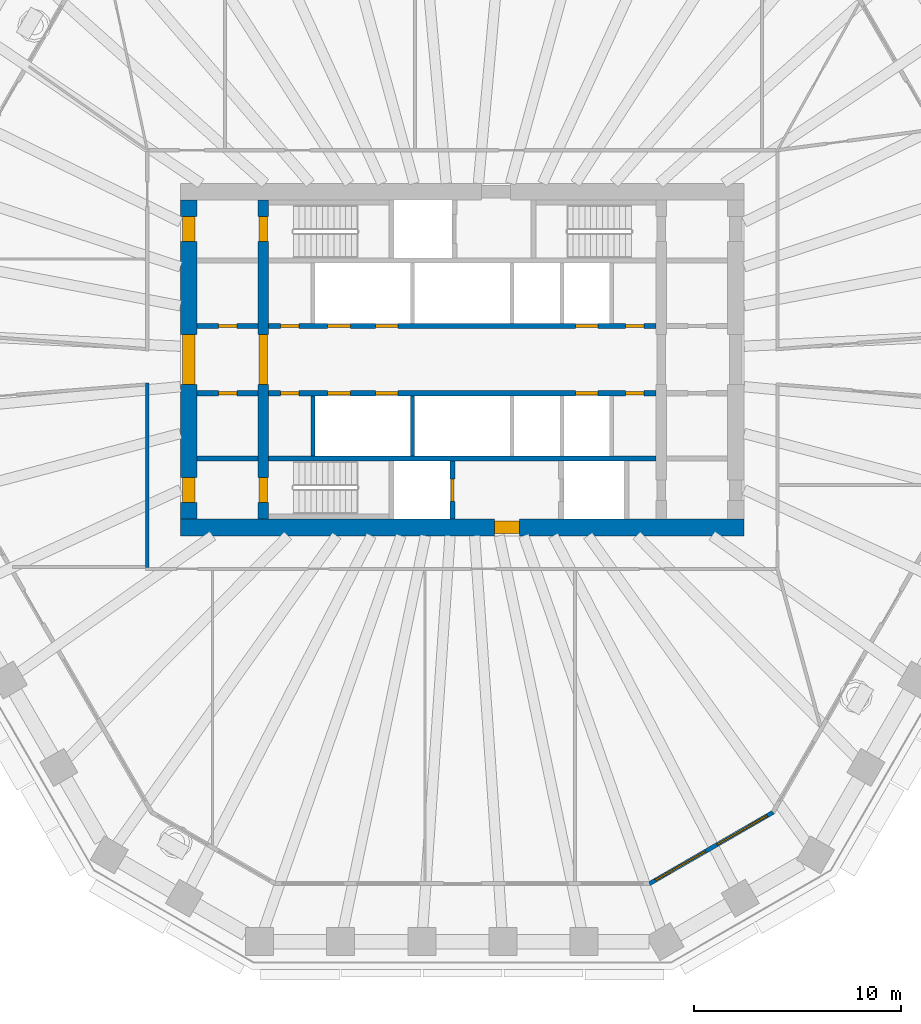
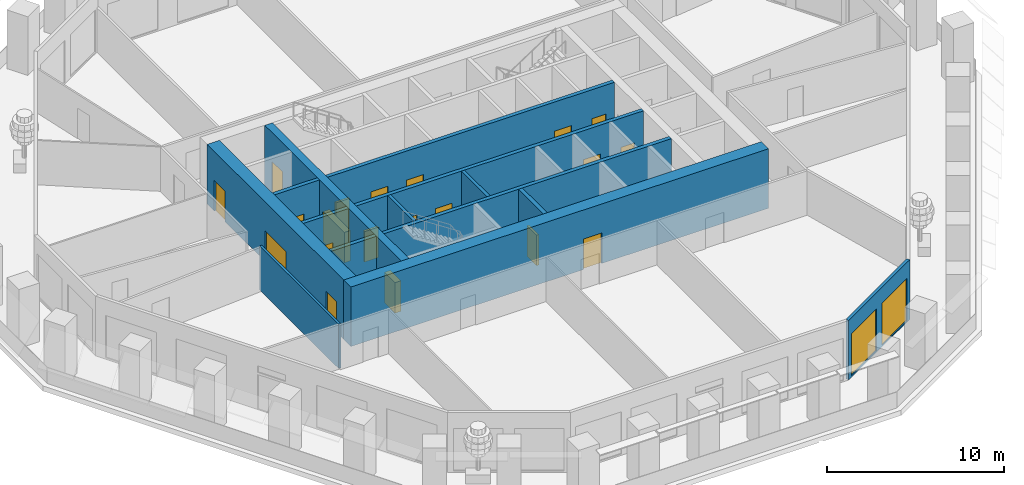
# One storey, part 4 of 12: 20 doors, 14 walls, 2 windows, 22 openings.
"""IFC4 building model written with IfcOpenShell, lengths in metres."""

from ifc_helpers import new_model, si_unit, direction, frame, frame_2d, origin, place, context, subcontext, project, spatial, polyline, rectangle, outline, extrude, material, layer, layer_set, type_object, element, fill, save


model = new_model("IFC4")

# Units and contexts
model_context = context("Model", 3, precision=1e-05, world=origin(), true_north=direction((0.0, 1.0)))
body_context = subcontext(model_context, "Body", "Model", "MODEL_VIEW")
ifc_project = project(units=[si_unit("LENGTHUNIT", "METRE"), si_unit("AREAUNIT", "SQUARE_METRE"), si_unit("VOLUMEUNIT", "CUBIC_METRE"), si_unit("PLANEANGLEUNIT", "RADIAN"), si_unit("MASSUNIT", "GRAM", prefix="KILO")], contexts=[model_context])

# Site, building, storey
site_placement = place(None, origin())
site = spatial("IfcSite", under=ifc_project, at=site_placement, CompositionType="ELEMENT")
building_placement = place(site_placement, origin())
building = spatial("IfcBuilding", under=site, at=building_placement, Name="Frailejon Research Tower", CompositionType="ELEMENT")
storey_placement = place(building_placement, frame((0.0, 0.0, 130.800048828125)))
storey = spatial("IfcBuildingStorey", under=building, at=storey_placement, Name="L28", CompositionType="ELEMENT", Elevation=130.800048828125)

# Wall, openings, doors
ifc_material_1 = material(Name="Concrete C60/75", Category="concrete")
ifc_layer_1 = layer(ifc_material_1, 0.5)
ifc_layer_set_1 = layer_set([ifc_layer_1], Name="Core shear wall 500 C60/75")
wall_type_1 = type_object("IfcWallType", Name="Core shear wall 500 C60/75", PredefinedType="SHEAR", material=ifc_layer_set_1)
wall_1_placement = place(storey_placement, frame((-9.60009765625, -7.699951171875, 0.0), z_axis=(0.0, 0.0, 1.0), x_axis=(0.0, 1.0, 0.0)))
wall_1 = element("IfcWall", 1, at=wall_1_placement, inside=storey, type_object=wall_type_1, Name="Core shear wall", PredefinedType="SHEAR", context=body_context, shape_type="SweptSolid", body=[
    extrude(rectangle(XDim=15.39990234375, YDim=0.5, at=frame_2d((7.699951171875, 0.0))), origin(), (0.0, 0.0, 1.0), 4.099853515625),
])
opening_1_placement = place(wall_1_placement, frame((6.5, 0.0, 0.0)))
opening_1 = element("IfcOpeningElement", 2, at=opening_1_placement, cuts=wall_1, Name="Opening D2", PredefinedType="OPENING", context=body_context, shape_type="SweptSolid", body=[
    extrude(rectangle(XDim=2.39990234375, YDim=2.10009765625, at=frame_2d((1.199951171875, 1.050048828125))), frame((0.0, 0.260009765625, 0.0), z_axis=(0.0, -1.0, 0.0), x_axis=(1.0, 0.0, 0.0)), (0.0, 0.0, 1.0), 0.52001953125),
])
opening_2_placement = place(wall_1_placement, frame((13.39990234375, 0.0, 0.0)))
opening_2 = element("IfcOpeningElement", 3, at=opening_2_placement, cuts=wall_1, Name="Opening D1", PredefinedType="OPENING", context=body_context, shape_type="SweptSolid", body=[
    extrude(rectangle(XDim=1.199951171875, YDim=2.10009765625, at=frame_2d((0.60009765625, 1.050048828125))), frame((0.0, 0.260009765625, 0.0), z_axis=(0.0, -1.0, 0.0), x_axis=(1.0, 0.0, 0.0)), (0.0, 0.0, 1.0), 0.52001953125),
])
opening_3_placement = place(wall_1_placement, frame((0.800048828125, 0.0, 0.0)))
opening_3 = element("IfcOpeningElement", 4, at=opening_3_placement, cuts=wall_1, Name="Opening D1", PredefinedType="OPENING", context=body_context, shape_type="SweptSolid", body=[
    extrude(rectangle(XDim=1.199951171875, YDim=2.10009765625, at=frame_2d((0.60009765625, 1.050048828125))), frame((0.0, 0.260009765625, 0.0), z_axis=(0.0, -1.0, 0.0), x_axis=(1.0, 0.0, 0.0)), (0.0, 0.0, 1.0), 0.52001953125),
])
ifc_material_2 = material(Name="Steel", Category="steel")
door_type_1 = type_object("IfcDoorType", Name="Lobby double door", OperationType="DOUBLE_DOOR_SINGLE_SWING", PredefinedType="DOOR", material=ifc_material_2)
door_1_placement = place(opening_1_placement, origin())
door_1 = element("IfcDoor", 5, at=door_1_placement, inside=storey, type_object=door_type_1, Name="Lobby door", OperationType="DOUBLE_DOOR_SINGLE_SWING", OverallHeight=2.10009765625, OverallWidth=2.39990234375, PredefinedType="DOOR", context=body_context, shape_type="SweptSolid", body=[
    extrude(rectangle(XDim=2.39990234375, YDim=2.10009765625, at=frame_2d((1.199951171875, 1.050048828125))), frame((0.0, 0.199951171875, 0.0), z_axis=(0.0, -1.0, 0.0), x_axis=(1.0, 0.0, 0.0)), (0.0, 0.0, 1.0), 0.39990234375),
])
fill(opening_1, door_1)
ifc_material_3 = material(Name="Steel", Category="steel")
door_type_2 = type_object("IfcDoorType", Name="Stair door", OperationType="SINGLE_SWING_LEFT", PredefinedType="DOOR", material=ifc_material_3)
door_2_placement = place(opening_2_placement, origin())
door_2 = element("IfcDoor", 6, at=door_2_placement, inside=storey, type_object=door_type_2, Name="Stair door ST1", OperationType="SINGLE_SWING_RIGHT", OverallHeight=2.10009765625, OverallWidth=1.199951171875, PredefinedType="DOOR", context=body_context, shape_type="SweptSolid", body=[
    extrude(rectangle(XDim=1.199951171875, YDim=2.10009765625, at=frame_2d((0.60009765625, 1.050048828125))), frame((0.0, 0.199951171875, 0.0), z_axis=(0.0, -1.0, 0.0), x_axis=(1.0, 0.0, 0.0)), (0.0, 0.0, 1.0), 0.39990234375),
])
fill(opening_2, door_2)
door_3_placement = place(opening_3_placement, origin())
door_3 = element("IfcDoor", 7, at=door_3_placement, inside=storey, type_object=door_type_2, Name="Stair door ST2", OperationType="SINGLE_SWING_RIGHT", OverallHeight=2.10009765625, OverallWidth=1.199951171875, PredefinedType="DOOR", context=body_context, shape_type="SweptSolid", body=[
    extrude(rectangle(XDim=1.199951171875, YDim=2.10009765625, at=frame_2d((0.60009765625, 1.050048828125))), frame((0.0, 0.199951171875, 0.0), z_axis=(0.0, -1.0, 0.0), x_axis=(1.0, 0.0, 0.0)), (0.0, 0.0, 1.0), 0.39990234375),
])
fill(opening_3, door_3)

# Wall, opening, door
ifc_material_4 = material(Name="Concrete C60/75", Category="concrete")
ifc_layer_2 = layer(ifc_material_4, 0.800048828125)
ifc_layer_set_2 = layer_set([ifc_layer_2], Name="Core shear wall 800 C60/75")
wall_type_2 = type_object("IfcWallType", Name="Core shear wall 800 C60/75", PredefinedType="SHEAR", material=ifc_layer_set_2)
wall_2_placement = place(storey_placement, frame((-13.60009765625, -8.10009765625, 0.0), z_axis=(0.0, 0.0, 1.0), x_axis=(1.0, 0.0, 0.0)))
wall_2 = element("IfcWall", 8, at=wall_2_placement, inside=storey, type_object=wall_type_2, Name="Core shear wall", PredefinedType="SHEAR", context=body_context, shape_type="SweptSolid", body=[
    extrude(rectangle(XDim=27.2001953125, YDim=0.800048828125, at=frame_2d((13.60009765625, 0.0))), origin(), (0.0, 0.0, 1.0), 4.099853515625),
])
opening_4_placement = place(wall_2_placement, frame((15.14990234375, 0.0, 0.0)))
opening_4 = element("IfcOpeningElement", 9, at=opening_4_placement, cuts=wall_2, Name="Opening D3", PredefinedType="OPENING", context=body_context, shape_type="SweptSolid", body=[
    extrude(rectangle(XDim=1.199951171875, YDim=2.10009765625, at=frame_2d((0.60009765625, 1.050048828125))), frame((0.0, 0.409912109375, 0.0), z_axis=(0.0, -1.0, 0.0), x_axis=(1.0, 0.0, 0.0)), (0.0, 0.0, 1.0), 0.820068359375),
])
ifc_material_5 = material(Name="Steel", Category="steel")
door_type_3 = type_object("IfcDoorType", Name="Firefighting lobby door", OperationType="SINGLE_SWING_LEFT", PredefinedType="DOOR", material=ifc_material_5)
door_4_placement = place(opening_4_placement, origin())
door_4 = element("IfcDoor", 10, at=door_4_placement, inside=storey, type_object=door_type_3, Name="Firefighting lobby door", OperationType="SINGLE_SWING_RIGHT", OverallHeight=2.10009765625, OverallWidth=1.199951171875, PredefinedType="DOOR", context=body_context, shape_type="SweptSolid", body=[
    extrude(rectangle(XDim=1.199951171875, YDim=2.10009765625, at=frame_2d((0.60009765625, 1.050048828125))), frame((0.0, 0.300048828125, 0.0), z_axis=(0.0, -1.0, 0.0), x_axis=(1.0, 0.0, 0.0)), (0.0, 0.0, 1.0), 0.60009765625),
])
fill(opening_4, door_4)

# Wall, openings, doors
wall_3_placement = place(storey_placement, frame((-13.199951171875, -7.699951171875, 0.0), z_axis=(0.0, 0.0, 1.0), x_axis=(0.0, 1.0, 0.0)))
wall_3 = element("IfcWall", 11, at=wall_3_placement, inside=storey, type_object=wall_type_2, Name="Core shear wall", PredefinedType="SHEAR", context=body_context, shape_type="SweptSolid", body=[
    extrude(rectangle(XDim=15.39990234375, YDim=0.800048828125, at=frame_2d((7.699951171875, 0.0))), origin(), (0.0, 0.0, 1.0), 4.099853515625),
])
opening_5_placement = place(wall_3_placement, frame((6.5, 0.0, 0.0)))
opening_5 = element("IfcOpeningElement", 12, at=opening_5_placement, cuts=wall_3, Name="Opening D2", PredefinedType="OPENING", context=body_context, shape_type="SweptSolid", body=[
    extrude(rectangle(XDim=2.39990234375, YDim=2.10009765625, at=frame_2d((1.199951171875, 1.050048828125))), frame((0.0, 0.409912109375, 0.0), z_axis=(0.0, -1.0, 0.0), x_axis=(1.0, 0.0, 0.0)), (0.0, 0.0, 1.0), 0.820068359375),
])
opening_6_placement = place(wall_3_placement, frame((13.39990234375, 0.0, 0.0)))
opening_6 = element("IfcOpeningElement", 13, at=opening_6_placement, cuts=wall_3, Name="Opening D7", PredefinedType="OPENING", context=body_context, shape_type="SweptSolid", body=[
    extrude(rectangle(XDim=1.199951171875, YDim=2.10009765625, at=frame_2d((0.60009765625, 1.050048828125))), frame((0.0, 0.409912109375, 0.0), z_axis=(0.0, -1.0, 0.0), x_axis=(1.0, 0.0, 0.0)), (0.0, 0.0, 1.0), 0.820068359375),
])
opening_7_placement = place(wall_3_placement, frame((0.800048828125, 0.0, 0.0)))
opening_7 = element("IfcOpeningElement", 14, at=opening_7_placement, cuts=wall_3, Name="Opening D7", PredefinedType="OPENING", context=body_context, shape_type="SweptSolid", body=[
    extrude(rectangle(XDim=1.199951171875, YDim=2.10009765625, at=frame_2d((0.60009765625, 1.050048828125))), frame((0.0, 0.409912109375, 0.0), z_axis=(0.0, -1.0, 0.0), x_axis=(1.0, 0.0, 0.0)), (0.0, 0.0, 1.0), 0.820068359375),
])
door_5_placement = place(opening_5_placement, origin())
door_5 = element("IfcDoor", 15, at=door_5_placement, inside=storey, type_object=door_type_1, Name="Lobby door", OperationType="DOUBLE_DOOR_SINGLE_SWING", OverallHeight=2.10009765625, OverallWidth=2.39990234375, PredefinedType="DOOR", context=body_context, shape_type="SweptSolid", body=[
    extrude(rectangle(XDim=2.39990234375, YDim=2.10009765625, at=frame_2d((1.199951171875, 1.050048828125))), frame((0.0, 0.300048828125, 0.0), z_axis=(0.0, -1.0, 0.0), x_axis=(1.0, 0.0, 0.0)), (0.0, 0.0, 1.0), 0.60009765625),
])
fill(opening_5, door_5)
ifc_material_6 = material(Name="Steel", Category="steel")
door_type_4 = type_object("IfcDoorType", Name="Stair exit door", OperationType="SINGLE_SWING_LEFT", PredefinedType="DOOR", material=ifc_material_6)
door_6_placement = place(opening_6_placement, origin())
door_6 = element("IfcDoor", 16, at=door_6_placement, inside=storey, type_object=door_type_4, Name="Stair exit door ST1", OperationType="SINGLE_SWING_LEFT", OverallHeight=2.10009765625, OverallWidth=1.199951171875, PredefinedType="DOOR", context=body_context, shape_type="SweptSolid", body=[
    extrude(rectangle(XDim=1.199951171875, YDim=2.10009765625, at=frame_2d((0.60009765625, 1.050048828125))), frame((0.0, 0.300048828125, 0.0), z_axis=(0.0, -1.0, 0.0), x_axis=(1.0, 0.0, 0.0)), (0.0, 0.0, 1.0), 0.60009765625),
])
fill(opening_6, door_6)
door_7_placement = place(opening_7_placement, origin())
door_7 = element("IfcDoor", 17, at=door_7_placement, inside=storey, type_object=door_type_4, Name="Stair exit door ST2", OperationType="SINGLE_SWING_LEFT", OverallHeight=2.10009765625, OverallWidth=1.199951171875, PredefinedType="DOOR", context=body_context, shape_type="SweptSolid", body=[
    extrude(rectangle(XDim=1.199951171875, YDim=2.10009765625, at=frame_2d((0.60009765625, 1.050048828125))), frame((0.0, 0.300048828125, 0.0), z_axis=(0.0, -1.0, 0.0), x_axis=(1.0, 0.0, 0.0)), (0.0, 0.0, 1.0), 0.60009765625),
])
fill(opening_7, door_7)

# Walls
ifc_material_7 = material(Name="Gypsum board and masonry partition", Category="masonry")
ifc_layer_3 = layer(ifc_material_7, 0.14990234375)
ifc_layer_set_3 = layer_set([ifc_layer_3], Name="Corridor wall EI 60, gypsum on steel studs 150")
wall_type_3 = type_object("IfcWallType", Name="Corridor wall EI 60, gypsum on steel studs 150", PredefinedType="PARTITIONING", material=ifc_layer_set_3)
wall_4_placement = place(storey_placement, frame((-15.199951171875, -10.02490234375, 0.0), z_axis=(0.0, 0.0, 1.0), x_axis=(0.0, 1.0, 0.0)))
element("IfcWall", 18, at=wall_4_placement, inside=storey, type_object=wall_type_3, Name="T:IW:L28:006", PredefinedType="PARTITIONING", context=body_context, shape_type="SweptSolid", body=[
    extrude(rectangle(XDim=8.900634765625, YDim=0.14990234375, at=frame_2d((4.4501953125, 0.0))), origin(), (0.0, 0.0, 1.0), 3.050048828125),
])
ifc_material_8 = material(Name="Concrete C60/75", Category="concrete")
ifc_layer_4 = layer(ifc_material_8, 0.199951171875)
ifc_layer_set_4 = layer_set([ifc_layer_4], Name="Shaft wall 200 C60/75")
wall_type_4 = type_object("IfcWallType", Name="Shaft wall 200 C60/75", PredefinedType="SOLIDWALL", material=ifc_layer_set_4)
for number, where, z_axis, x_axis, name in (
    (19, (-7.199951171875, -4.64990234375, 0.0), (0.0, 0.0, 1.0), (0.0, 1.0, 0.0), "Shaft wall"),
    (20, (-2.39990234375, -4.64990234375, 0.0), (0.0, 0.0, 1.0), (0.0, 1.0, 0.0), "Shaft wall"),
):
    element("IfcWall", number, at=place(storey_placement, frame(where, z_axis=z_axis, x_axis=x_axis)), inside=storey, type_object=wall_type_4, Name=name, PredefinedType="SOLIDWALL", context=body_context, shape_type="SweptSolid", body=[
        extrude(rectangle(XDim=2.89990234375, YDim=0.199951171875, at=frame_2d((1.449951171875, 0.0))), origin(), (0.0, 0.0, 1.0), 4.099853515625),
    ])

# Wall, opening, door
ifc_material_9 = material(Name="Concrete C60/75", Category="concrete")
ifc_layer_5 = layer(ifc_material_9, 0.25)
ifc_layer_set_5 = layer_set([ifc_layer_5], Name="Shaft wall 250 C60/75")
wall_type_5 = type_object("IfcWallType", Name="Shaft wall 250 C60/75", PredefinedType="SOLIDWALL", material=ifc_layer_set_5)
wall_5_placement = place(storey_placement, frame((-12.800048828125, 1.625, 0.0), z_axis=(0.0, 0.0, 1.0), x_axis=(1.0, 0.0, 0.0)))
wall_5 = element("IfcWall", 21, at=wall_5_placement, inside=storey, type_object=wall_type_5, Name="Shaft wall", PredefinedType="SOLIDWALL", context=body_context, shape_type="SweptSolid", body=[
    extrude(rectangle(XDim=2.949951171875, YDim=0.25, at=frame_2d((1.47509765625, 0.0))), origin(), (0.0, 0.0, 1.0), 4.099853515625),
])
opening_8_placement = place(wall_5_placement, frame((1.02490234375, 0.0, 0.0)))
opening_8 = element("IfcOpeningElement", 22, at=opening_8_placement, cuts=wall_5, Name="Opening D8", PredefinedType="OPENING", context=body_context, shape_type="SweptSolid", body=[
    extrude(rectangle(XDim=0.89990234375, YDim=2.10009765625, at=frame_2d((0.449951171875, 1.050048828125))), frame((0.0, 0.135009765625, 0.0), z_axis=(0.0, -1.0, 0.0), x_axis=(1.0, 0.0, 0.0)), (0.0, 0.0, 1.0), 0.27001953125),
])
ifc_material_10 = material(Name="Steel", Category="steel")
door_type_5 = type_object("IfcDoorType", Name="Core room door", OperationType="SINGLE_SWING_LEFT", PredefinedType="DOOR", material=ifc_material_10)
door_8_placement = place(opening_8_placement, origin())
door_8 = element("IfcDoor", 23, at=door_8_placement, inside=storey, type_object=door_type_5, Name="Room door", OperationType="SINGLE_SWING_RIGHT", OverallHeight=2.10009765625, OverallWidth=0.89990234375, PredefinedType="DOOR", context=body_context, shape_type="SweptSolid", body=[
    extrude(rectangle(XDim=0.89990234375, YDim=2.10009765625, at=frame_2d((0.449951171875, 1.050048828125))), frame((0.0, 0.074951171875, 0.0), z_axis=(0.0, -1.0, 0.0), x_axis=(1.0, 0.0, 0.0)), (0.0, 0.0, 1.0), 0.14990234375),
])
fill(opening_8, door_8)

# Wall, openings, doors
wall_6_placement = place(storey_placement, frame((-9.35009765625, 1.625, 0.0), z_axis=(0.0, 0.0, 1.0), x_axis=(1.0, 0.0, 0.0)))
wall_6 = element("IfcWall", 24, at=wall_6_placement, inside=storey, type_object=wall_type_5, Name="Shaft wall", PredefinedType="SOLIDWALL", context=body_context, shape_type="SweptSolid", body=[
    extrude(rectangle(XDim=18.7001953125, YDim=0.25, at=frame_2d((9.35009765625, 0.0))), origin(), (0.0, 0.0, 1.0), 4.099853515625),
])
opening_9_placement = place(wall_6_placement, frame((2.85009765625, 0.0, 0.0)))
opening_9 = element("IfcOpeningElement", 25, at=opening_9_placement, cuts=wall_6, Name="Opening LD", PredefinedType="OPENING", context=body_context, shape_type="SweptSolid", body=[
    extrude(rectangle(XDim=1.10009765625, YDim=2.10009765625, at=frame_2d((0.550048828125, 1.050048828125))), frame((0.0, 0.135009765625, 0.0), z_axis=(0.0, -1.0, 0.0), x_axis=(1.0, 0.0, 0.0)), (0.0, 0.0, 1.0), 0.27001953125),
])
opening_10_placement = place(wall_6_placement, frame((5.14990234375, 0.0, 0.0)))
opening_10 = element("IfcOpeningElement", 26, at=opening_10_placement, cuts=wall_6, Name="Opening LD", PredefinedType="OPENING", context=body_context, shape_type="SweptSolid", body=[
    extrude(rectangle(XDim=1.10009765625, YDim=2.10009765625, at=frame_2d((0.550048828125, 1.050048828125))), frame((0.0, 0.135009765625, 0.0), z_axis=(0.0, -1.0, 0.0), x_axis=(1.0, 0.0, 0.0)), (0.0, 0.0, 1.0), 0.27001953125),
])
opening_11_placement = place(wall_6_placement, frame((14.800048828125, 0.0, 0.0)))
opening_11 = element("IfcOpeningElement", 27, at=opening_11_placement, cuts=wall_6, Name="Opening LD", PredefinedType="OPENING", context=body_context, shape_type="SweptSolid", body=[
    extrude(rectangle(XDim=1.10009765625, YDim=2.10009765625, at=frame_2d((0.550048828125, 1.050048828125))), frame((0.0, 0.135009765625, 0.0), z_axis=(0.0, -1.0, 0.0), x_axis=(1.0, 0.0, 0.0)), (0.0, 0.0, 1.0), 0.27001953125),
])
opening_12_placement = place(wall_6_placement, frame((0.574951171875, 0.0, 0.0)))
opening_12 = element("IfcOpeningElement", 28, at=opening_12_placement, cuts=wall_6, Name="Opening D8", PredefinedType="OPENING", context=body_context, shape_type="SweptSolid", body=[
    extrude(rectangle(XDim=0.89990234375, YDim=2.10009765625, at=frame_2d((0.449951171875, 1.050048828125))), frame((0.0, 0.135009765625, 0.0), z_axis=(0.0, -1.0, 0.0), x_axis=(1.0, 0.0, 0.0)), (0.0, 0.0, 1.0), 0.27001953125),
])
opening_13_placement = place(wall_6_placement, frame((17.22509765625, 0.0, 0.0)))
opening_13 = element("IfcOpeningElement", 29, at=opening_13_placement, cuts=wall_6, Name="Opening D8", PredefinedType="OPENING", context=body_context, shape_type="SweptSolid", body=[
    extrude(rectangle(XDim=0.89990234375, YDim=2.10009765625, at=frame_2d((0.449951171875, 1.050048828125))), frame((0.0, 0.135009765625, 0.0), z_axis=(0.0, -1.0, 0.0), x_axis=(1.0, 0.0, 0.0)), (0.0, 0.0, 1.0), 0.27001953125),
])
door_9_placement = place(opening_12_placement, origin())
door_9 = element("IfcDoor", 30, at=door_9_placement, inside=storey, type_object=door_type_5, Name="Room door", OperationType="SINGLE_SWING_LEFT", OverallHeight=2.10009765625, OverallWidth=0.89990234375, PredefinedType="DOOR", context=body_context, shape_type="SweptSolid", body=[
    extrude(rectangle(XDim=0.89990234375, YDim=2.10009765625, at=frame_2d((0.449951171875, 1.050048828125))), frame((0.0, 0.074951171875, 0.0), z_axis=(0.0, -1.0, 0.0), x_axis=(1.0, 0.0, 0.0)), (0.0, 0.0, 1.0), 0.14990234375),
])
fill(opening_12, door_9)
door_10_placement = place(opening_13_placement, origin())
door_10 = element("IfcDoor", 31, at=door_10_placement, inside=storey, type_object=door_type_5, Name="Room door", OperationType="SINGLE_SWING_RIGHT", OverallHeight=2.10009765625, OverallWidth=0.89990234375, PredefinedType="DOOR", context=body_context, shape_type="SweptSolid", body=[
    extrude(rectangle(XDim=0.89990234375, YDim=2.10009765625, at=frame_2d((0.449951171875, 1.050048828125))), frame((0.0, 0.074951171875, 0.0), z_axis=(0.0, -1.0, 0.0), x_axis=(1.0, 0.0, 0.0)), (0.0, 0.0, 1.0), 0.14990234375),
])
fill(opening_13, door_10)
ifc_material_11 = material(Name="Steel", Category="steel")
door_type_6 = type_object("IfcDoorType", Name="Lift landing door", OperationType="DOUBLE_DOOR_SLIDING", PredefinedType="DOOR", material=ifc_material_11)
door_11_placement = place(opening_9_placement, origin())
door_11 = element("IfcDoor", 32, at=door_11_placement, inside=storey, type_object=door_type_6, Name="Lift landing door", OperationType="DOUBLE_DOOR_SLIDING", OverallHeight=2.10009765625, OverallWidth=1.10009765625, PredefinedType="DOOR", context=body_context, shape_type="SweptSolid", body=[
    extrude(rectangle(XDim=1.10009765625, YDim=2.10009765625, at=frame_2d((0.550048828125, 1.050048828125))), frame((0.0, 0.074951171875, 0.0), z_axis=(0.0, -1.0, 0.0), x_axis=(1.0, 0.0, 0.0)), (0.0, 0.0, 1.0), 0.14990234375),
])
fill(opening_9, door_11)
door_12_placement = place(opening_10_placement, origin())
door_12 = element("IfcDoor", 33, at=door_12_placement, inside=storey, type_object=door_type_6, Name="Lift landing door", OperationType="DOUBLE_DOOR_SLIDING", OverallHeight=2.10009765625, OverallWidth=1.10009765625, PredefinedType="DOOR", context=body_context, shape_type="SweptSolid", body=[
    extrude(rectangle(XDim=1.10009765625, YDim=2.10009765625, at=frame_2d((0.550048828125, 1.050048828125))), frame((0.0, 0.074951171875, 0.0), z_axis=(0.0, -1.0, 0.0), x_axis=(1.0, 0.0, 0.0)), (0.0, 0.0, 1.0), 0.14990234375),
])
fill(opening_10, door_12)
door_13_placement = place(opening_11_placement, origin())
door_13 = element("IfcDoor", 34, at=door_13_placement, inside=storey, type_object=door_type_6, Name="Lift landing door", OperationType="DOUBLE_DOOR_SLIDING", OverallHeight=2.10009765625, OverallWidth=1.10009765625, PredefinedType="DOOR", context=body_context, shape_type="SweptSolid", body=[
    extrude(rectangle(XDim=1.10009765625, YDim=2.10009765625, at=frame_2d((0.550048828125, 1.050048828125))), frame((0.0, 0.074951171875, 0.0), z_axis=(0.0, -1.0, 0.0), x_axis=(1.0, 0.0, 0.0)), (0.0, 0.0, 1.0), 0.14990234375),
])
fill(opening_11, door_13)

# Wall, opening, door
wall_7_placement = place(storey_placement, frame((-12.800048828125, -1.625, 0.0), z_axis=(0.0, 0.0, 1.0), x_axis=(1.0, 0.0, 0.0)))
wall_7 = element("IfcWall", 35, at=wall_7_placement, inside=storey, type_object=wall_type_5, Name="Shaft wall", PredefinedType="SOLIDWALL", context=body_context, shape_type="SweptSolid", body=[
    extrude(rectangle(XDim=2.949951171875, YDim=0.25, at=frame_2d((1.47509765625, 0.0))), origin(), (0.0, 0.0, 1.0), 4.099853515625),
])
opening_14_placement = place(wall_7_placement, frame((1.02490234375, 0.0, 0.0)))
opening_14 = element("IfcOpeningElement", 36, at=opening_14_placement, cuts=wall_7, Name="Opening D8", PredefinedType="OPENING", context=body_context, shape_type="SweptSolid", body=[
    extrude(rectangle(XDim=0.89990234375, YDim=2.10009765625, at=frame_2d((0.449951171875, 1.050048828125))), frame((0.0, 0.135009765625, 0.0), z_axis=(0.0, -1.0, 0.0), x_axis=(1.0, 0.0, 0.0)), (0.0, 0.0, 1.0), 0.27001953125),
])
door_14_placement = place(opening_14_placement, origin())
door_14 = element("IfcDoor", 37, at=door_14_placement, inside=storey, type_object=door_type_5, Name="Room door", OperationType="SINGLE_SWING_RIGHT", OverallHeight=2.10009765625, OverallWidth=0.89990234375, PredefinedType="DOOR", context=body_context, shape_type="SweptSolid", body=[
    extrude(rectangle(XDim=0.89990234375, YDim=2.10009765625, at=frame_2d((0.449951171875, 1.050048828125))), frame((0.0, 0.074951171875, 0.0), z_axis=(0.0, -1.0, 0.0), x_axis=(1.0, 0.0, 0.0)), (0.0, 0.0, 1.0), 0.14990234375),
])
fill(opening_14, door_14)

# Wall, openings, doors
wall_8_placement = place(storey_placement, frame((-9.35009765625, -1.625, 0.0), z_axis=(0.0, 0.0, 1.0), x_axis=(1.0, 0.0, 0.0)))
wall_8 = element("IfcWall", 38, at=wall_8_placement, inside=storey, type_object=wall_type_5, Name="Shaft wall", PredefinedType="SOLIDWALL", context=body_context, shape_type="SweptSolid", body=[
    extrude(rectangle(XDim=18.7001953125, YDim=0.25, at=frame_2d((9.35009765625, 0.0))), origin(), (0.0, 0.0, 1.0), 4.099853515625),
])
opening_15_placement = place(wall_8_placement, frame((2.85009765625, 0.0, 0.0)))
opening_15 = element("IfcOpeningElement", 39, at=opening_15_placement, cuts=wall_8, Name="Opening LD", PredefinedType="OPENING", context=body_context, shape_type="SweptSolid", body=[
    extrude(rectangle(XDim=1.10009765625, YDim=2.10009765625, at=frame_2d((0.550048828125, 1.050048828125))), frame((0.0, 0.135009765625, 0.0), z_axis=(0.0, -1.0, 0.0), x_axis=(1.0, 0.0, 0.0)), (0.0, 0.0, 1.0), 0.27001953125),
])
opening_16_placement = place(wall_8_placement, frame((5.14990234375, 0.0, 0.0)))
opening_16 = element("IfcOpeningElement", 40, at=opening_16_placement, cuts=wall_8, Name="Opening LD", PredefinedType="OPENING", context=body_context, shape_type="SweptSolid", body=[
    extrude(rectangle(XDim=1.10009765625, YDim=2.10009765625, at=frame_2d((0.550048828125, 1.050048828125))), frame((0.0, 0.135009765625, 0.0), z_axis=(0.0, -1.0, 0.0), x_axis=(1.0, 0.0, 0.0)), (0.0, 0.0, 1.0), 0.27001953125),
])
opening_17_placement = place(wall_8_placement, frame((14.800048828125, 0.0, 0.0)))
opening_17 = element("IfcOpeningElement", 41, at=opening_17_placement, cuts=wall_8, Name="Opening LD", PredefinedType="OPENING", context=body_context, shape_type="SweptSolid", body=[
    extrude(rectangle(XDim=1.10009765625, YDim=2.10009765625, at=frame_2d((0.550048828125, 1.050048828125))), frame((0.0, 0.135009765625, 0.0), z_axis=(0.0, -1.0, 0.0), x_axis=(1.0, 0.0, 0.0)), (0.0, 0.0, 1.0), 0.27001953125),
])
opening_18_placement = place(wall_8_placement, frame((0.574951171875, 0.0, 0.0)))
opening_18 = element("IfcOpeningElement", 42, at=opening_18_placement, cuts=wall_8, Name="Opening D8", PredefinedType="OPENING", context=body_context, shape_type="SweptSolid", body=[
    extrude(rectangle(XDim=0.89990234375, YDim=2.10009765625, at=frame_2d((0.449951171875, 1.050048828125))), frame((0.0, 0.135009765625, 0.0), z_axis=(0.0, -1.0, 0.0), x_axis=(1.0, 0.0, 0.0)), (0.0, 0.0, 1.0), 0.27001953125),
])
opening_19_placement = place(wall_8_placement, frame((17.22509765625, 0.0, 0.0)))
opening_19 = element("IfcOpeningElement", 43, at=opening_19_placement, cuts=wall_8, Name="Opening D8", PredefinedType="OPENING", context=body_context, shape_type="SweptSolid", body=[
    extrude(rectangle(XDim=0.89990234375, YDim=2.10009765625, at=frame_2d((0.449951171875, 1.050048828125))), frame((0.0, 0.135009765625, 0.0), z_axis=(0.0, -1.0, 0.0), x_axis=(1.0, 0.0, 0.0)), (0.0, 0.0, 1.0), 0.27001953125),
])
door_15_placement = place(opening_18_placement, origin())
door_15 = element("IfcDoor", 44, at=door_15_placement, inside=storey, type_object=door_type_5, Name="Room door", OperationType="SINGLE_SWING_LEFT", OverallHeight=2.10009765625, OverallWidth=0.89990234375, PredefinedType="DOOR", context=body_context, shape_type="SweptSolid", body=[
    extrude(rectangle(XDim=0.89990234375, YDim=2.10009765625, at=frame_2d((0.449951171875, 1.050048828125))), frame((0.0, 0.074951171875, 0.0), z_axis=(0.0, -1.0, 0.0), x_axis=(1.0, 0.0, 0.0)), (0.0, 0.0, 1.0), 0.14990234375),
])
fill(opening_18, door_15)
door_16_placement = place(opening_19_placement, origin())
door_16 = element("IfcDoor", 45, at=door_16_placement, inside=storey, type_object=door_type_5, Name="Room door", OperationType="SINGLE_SWING_RIGHT", OverallHeight=2.10009765625, OverallWidth=0.89990234375, PredefinedType="DOOR", context=body_context, shape_type="SweptSolid", body=[
    extrude(rectangle(XDim=0.89990234375, YDim=2.10009765625, at=frame_2d((0.449951171875, 1.050048828125))), frame((0.0, 0.074951171875, 0.0), z_axis=(0.0, -1.0, 0.0), x_axis=(1.0, 0.0, 0.0)), (0.0, 0.0, 1.0), 0.14990234375),
])
fill(opening_19, door_16)
door_17_placement = place(opening_15_placement, origin())
door_17 = element("IfcDoor", 46, at=door_17_placement, inside=storey, type_object=door_type_6, Name="Lift landing door", OperationType="DOUBLE_DOOR_SLIDING", OverallHeight=2.10009765625, OverallWidth=1.10009765625, PredefinedType="DOOR", context=body_context, shape_type="SweptSolid", body=[
    extrude(rectangle(XDim=1.10009765625, YDim=2.10009765625, at=frame_2d((0.550048828125, 1.050048828125))), frame((0.0, 0.074951171875, 0.0), z_axis=(0.0, -1.0, 0.0), x_axis=(1.0, 0.0, 0.0)), (0.0, 0.0, 1.0), 0.14990234375),
])
fill(opening_15, door_17)
door_18_placement = place(opening_16_placement, origin())
door_18 = element("IfcDoor", 47, at=door_18_placement, inside=storey, type_object=door_type_6, Name="Lift landing door", OperationType="DOUBLE_DOOR_SLIDING", OverallHeight=2.10009765625, OverallWidth=1.10009765625, PredefinedType="DOOR", context=body_context, shape_type="SweptSolid", body=[
    extrude(rectangle(XDim=1.10009765625, YDim=2.10009765625, at=frame_2d((0.550048828125, 1.050048828125))), frame((0.0, 0.074951171875, 0.0), z_axis=(0.0, -1.0, 0.0), x_axis=(1.0, 0.0, 0.0)), (0.0, 0.0, 1.0), 0.14990234375),
])
fill(opening_16, door_18)
door_19_placement = place(opening_17_placement, origin())
door_19 = element("IfcDoor", 48, at=door_19_placement, inside=storey, type_object=door_type_6, Name="Lift landing door", OperationType="DOUBLE_DOOR_SLIDING", OverallHeight=2.10009765625, OverallWidth=1.10009765625, PredefinedType="DOOR", context=body_context, shape_type="SweptSolid", body=[
    extrude(rectangle(XDim=1.10009765625, YDim=2.10009765625, at=frame_2d((0.550048828125, 1.050048828125))), frame((0.0, 0.074951171875, 0.0), z_axis=(0.0, -1.0, 0.0), x_axis=(1.0, 0.0, 0.0)), (0.0, 0.0, 1.0), 0.14990234375),
])
fill(opening_17, door_19)

# Walls
wall_9_placement = place(storey_placement, frame((-12.800048828125, -4.77490234375, 0.0), z_axis=(0.0, 0.0, 1.0), x_axis=(1.0, 0.0, 0.0)))
element("IfcWall", 49, at=wall_9_placement, inside=storey, type_object=wall_type_5, Name="Shaft wall", PredefinedType="SOLIDWALL", context=body_context, shape_type="SweptSolid", body=[
    extrude(rectangle(XDim=2.949951171875, YDim=0.25, at=frame_2d((1.47509765625, 0.0))), origin(), (0.0, 0.0, 1.0), 4.099853515625),
])
wall_10_placement = place(storey_placement, frame((-9.35009765625, -4.77490234375, 0.0), z_axis=(0.0, 0.0, 1.0), x_axis=(1.0, 0.0, 0.0)))
element("IfcWall", 50, at=wall_10_placement, inside=storey, type_object=wall_type_5, Name="Shaft wall", PredefinedType="SOLIDWALL", context=body_context, shape_type="SweptSolid", body=[
    extrude(rectangle(XDim=18.7001953125, YDim=0.25, at=frame_2d((9.35009765625, 0.0))), origin(), (0.0, 0.0, 1.0), 4.099853515625),
])

# Wall, opening, door
wall_11_placement = place(storey_placement, frame((-0.47509765625, -7.699951171875, 0.0), z_axis=(0.0, 0.0, 1.0), x_axis=(0.0, 1.0, 0.0)))
wall_11 = element("IfcWall", 51, at=wall_11_placement, inside=storey, type_object=wall_type_5, Name="Shaft wall", PredefinedType="SOLIDWALL", context=body_context, shape_type="SweptSolid", body=[
    extrude(rectangle(XDim=2.800048828125, YDim=0.25, at=frame_2d((1.39990234375, 0.0))), origin(), (0.0, 0.0, 1.0), 4.099853515625),
])
opening_20_placement = place(wall_11_placement, frame((0.85009765625, 0.0, 0.0)))
opening_20 = element("IfcOpeningElement", 52, at=opening_20_placement, cuts=wall_11, Name="Opening LD", PredefinedType="OPENING", context=body_context, shape_type="SweptSolid", body=[
    extrude(rectangle(XDim=1.10009765625, YDim=2.10009765625, at=frame_2d((0.550048828125, 1.050048828125))), frame((0.0, 0.135009765625, 0.0), z_axis=(0.0, -1.0, 0.0), x_axis=(1.0, 0.0, 0.0)), (0.0, 0.0, 1.0), 0.27001953125),
])
door_20_placement = place(opening_20_placement, origin())
door_20 = element("IfcDoor", 53, at=door_20_placement, inside=storey, type_object=door_type_6, Name="Lift landing door", OperationType="DOUBLE_DOOR_SLIDING", OverallHeight=2.10009765625, OverallWidth=1.10009765625, PredefinedType="DOOR", context=body_context, shape_type="SweptSolid", body=[
    extrude(rectangle(XDim=1.10009765625, YDim=2.10009765625, at=frame_2d((0.550048828125, 1.050048828125))), frame((0.0, 0.074951171875, 0.0), z_axis=(0.0, -1.0, 0.0), x_axis=(1.0, 0.0, 0.0)), (0.0, 0.0, 1.0), 0.14990234375),
])
fill(opening_20, door_20)

# Wall, openings, windows
ifc_material_12 = material(Name="Concrete C40/50 precast window wall panel", Category="concrete")
ifc_layer_6 = layer(ifc_material_12, 0.199951171875)
ifc_layer_set_6 = layer_set([ifc_layer_6], Name="Window wall 200")
wall_type_6 = type_object("IfcWallType", Name="Window wall 200", PredefinedType="SOLIDWALL", material=ifc_layer_set_6)
wall_12_placement = place(storey_placement, frame((9.03125, -25.28271484375, 0.0), z_axis=(0.0, 0.0, 1.0), x_axis=(0.866029458321, 0.49999297727, 0.0)))
wall_12 = element("IfcWall", 54, at=wall_12_placement, inside=storey, type_object=wall_type_6, Name="Exterior wall L28", PredefinedType="SOLIDWALL", context=body_context, shape_type="SweptSolid", body=[
    extrude(outline(polyline([(-0.02685546875, -0.10009765625), (1.1279296875, -0.10009765625), (2.282470703125, -0.10009765625), (3.437255859375, -0.10009765625), (4.592041015625, -0.10009765625), (5.74658203125, -0.10009765625), (6.9013671875, -0.10009765625), (6.84765625, 0.10009765625), (5.7109375, 0.10009765625), (4.573974609375, 0.10009765625), (3.437255859375, 0.10009765625), (2.300537109375, 0.10009765625), (1.16357421875, 0.10009765625), (0.02685546875, 0.10009765625), (-0.02685546875, -0.10009765625)])), origin(), (0.0, 0.0, 1.0), 4.099853515625),
])
opening_21_placement = place(wall_12_placement, frame((0.318603515625, 0.0, 0.10009765625)))
opening_21 = element("IfcOpeningElement", 55, at=opening_21_placement, cuts=wall_12, Name="Opening W3", PredefinedType="OPENING", context=body_context, shape_type="SweptSolid", body=[
    extrude(rectangle(XDim=2.800048828125, YDim=2.89990234375, at=frame_2d((1.39990234375, 1.449951171875))), frame((0.0, 0.10986328125, 0.0), z_axis=(0.0, -1.0, 0.0), x_axis=(1.0, 0.0, 0.0)), (0.0, 0.0, 1.0), 0.219970703125),
])
opening_22_placement = place(wall_12_placement, frame((3.756103515625, 0.0, 0.10009765625)))
opening_22 = element("IfcOpeningElement", 56, at=opening_22_placement, cuts=wall_12, Name="Opening W3", PredefinedType="OPENING", context=body_context, shape_type="SweptSolid", body=[
    extrude(rectangle(XDim=2.800048828125, YDim=2.89990234375, at=frame_2d((1.39990234375, 1.449951171875))), frame((0.0, 0.10986328125, 0.0), z_axis=(0.0, -1.0, 0.0), x_axis=(1.0, 0.0, 0.0)), (0.0, 0.0, 1.0), 0.219970703125),
])
ifc_material_13 = material(Name="Aluminium framed double glazing", Category="aluminium")
window_type = type_object("IfcWindowType", Name="Window 2800x2900", PartitioningType="SINGLE_PANEL", PredefinedType="WINDOW", material=ifc_material_13)
window_1_placement = place(opening_21_placement, origin())
window_1 = element("IfcWindow", 57, at=window_1_placement, inside=storey, type_object=window_type, Name="Window L28", OverallHeight=2.89990234375, OverallWidth=2.800048828125, PartitioningType="SINGLE_PANEL", PredefinedType="WINDOW", context=body_context, shape_type="SweptSolid", body=[
    extrude(rectangle(XDim=2.800048828125, YDim=2.89990234375, at=frame_2d((1.39990234375, 1.449951171875))), frame((0.0, 0.030029296875, 0.0), z_axis=(0.0, -1.0, 0.0), x_axis=(1.0, 0.0, 0.0)), (0.0, 0.0, 1.0), 0.06005859375),
])
fill(opening_21, window_1)
window_2_placement = place(opening_22_placement, origin())
window_2 = element("IfcWindow", 58, at=window_2_placement, inside=storey, type_object=window_type, Name="Window L28", OverallHeight=2.89990234375, OverallWidth=2.800048828125, PartitioningType="SINGLE_PANEL", PredefinedType="WINDOW", context=body_context, shape_type="SweptSolid", body=[
    extrude(rectangle(XDim=2.800048828125, YDim=2.89990234375, at=frame_2d((1.39990234375, 1.449951171875))), frame((0.0, 0.030029296875, 0.0), z_axis=(0.0, -1.0, 0.0), x_axis=(1.0, 0.0, 0.0)), (0.0, 0.0, 1.0), 0.06005859375),
])
fill(opening_22, window_2)

save(model, "model.ifc")
